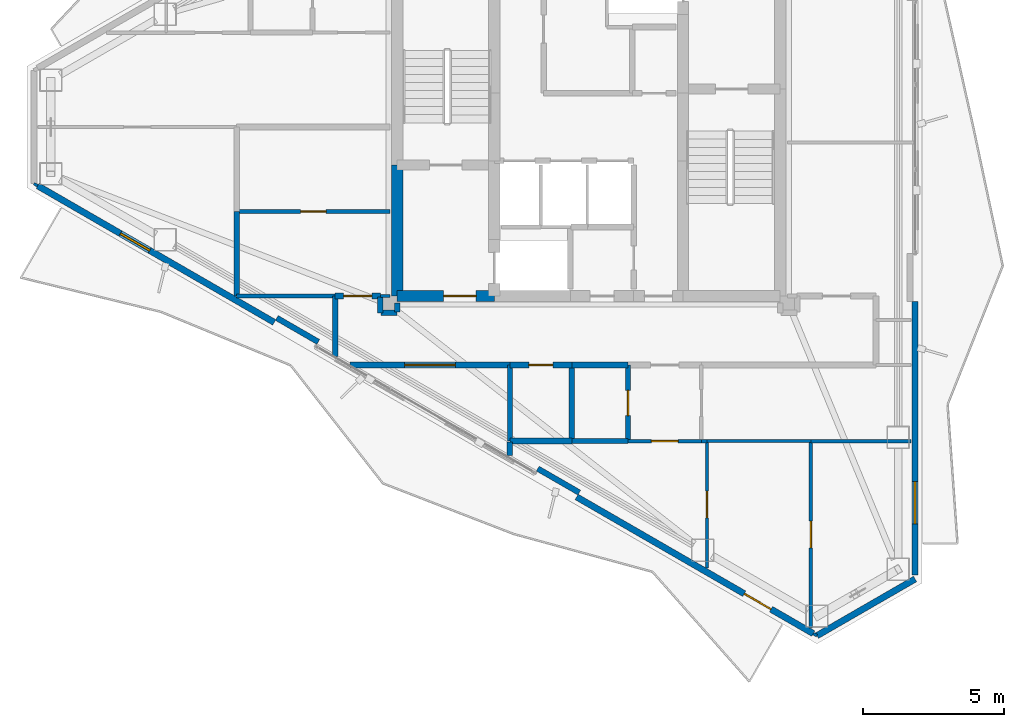
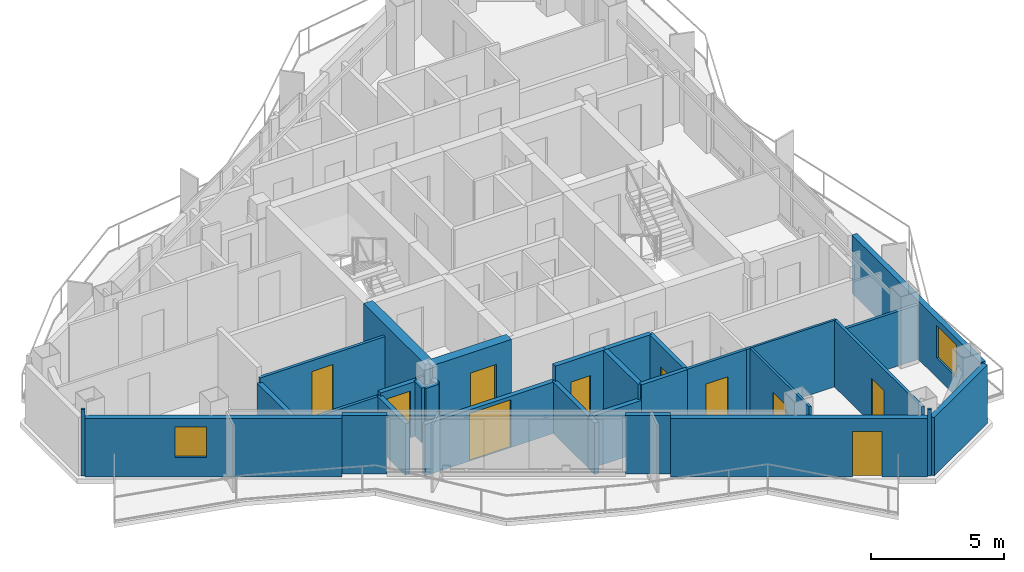
# One storey, part 16 of 22: 34 walls, 10 doors, 2 windows, 12 openings.
"""IFC4 building model written with IfcOpenShell, lengths in metres."""

from ifc_helpers import new_model, si_unit, direction, frame, frame_2d, origin, place, context, subcontext, project, spatial, rectangle, extrude, material, layer, layer_set, type_object, element, fill, save


model = new_model("IFC4")

# Units and contexts
model_context = context("Model", 3, precision=1e-05, world=origin(), true_north=direction((0.0, 1.0)))
body_context = subcontext(model_context, "Body", "Model", "MODEL_VIEW")
ifc_project = project(units=[si_unit("LENGTHUNIT", "METRE"), si_unit("AREAUNIT", "SQUARE_METRE"), si_unit("VOLUMEUNIT", "CUBIC_METRE"), si_unit("PLANEANGLEUNIT", "RADIAN"), si_unit("MASSUNIT", "GRAM", prefix="KILO")], contexts=[model_context])

# Site, building, storey
site_placement = place(None, origin())
site = spatial("IfcSite", under=ifc_project, at=site_placement, CompositionType="ELEMENT")
building_placement = place(site_placement, origin())
building = spatial("IfcBuilding", under=site, at=building_placement, Name="Mersakhor Tower and Convention Hall", CompositionType="ELEMENT")
storey_placement = place(building_placement, frame((0.0, 0.0, 195.300048828125)))
storey = spatial("IfcBuildingStorey", under=building, at=storey_placement, Name="L54", CompositionType="ELEMENT", Elevation=195.300048828125)

# Wall
ifc_material_1 = material(Name="Precast concrete C40/50", Category="concrete")
ifc_layer_1 = layer(ifc_material_1, 0.22509765625)
ifc_layer_set_1 = layer_set([ifc_layer_1], Name="Precast concrete C40/50")
wall_type_1 = type_object("IfcWallType", Name="WL-EXT-225", PredefinedType="SOLIDWALL", material=ifc_layer_set_1)
wall_1_placement = place(storey_placement, frame((40.58837890625, 10.70166015625, 0.0), z_axis=(0.0, 0.0, 1.0), x_axis=(-0.866023907196, -0.500002592159, 0.0)))
element("IfcWall", 1, at=wall_1_placement, inside=storey, type_object=wall_type_1, Name="L54 Chamfer Braced Spandrel Wall C2", PredefinedType="SOLIDWALL", context=body_context, shape_type="SweptSolid", body=[
    extrude(rectangle(XDim=4.0234375, YDim=0.22509765625, at=frame_2d((2.01171875, 0.0))), origin(), (0.0, 0.0, 1.0), 2.68994140625),
])

# Wall, opening, window
wall_2_placement = place(storey_placement, frame((40.58837890625, 20.550537109375, 0.0), z_axis=(0.0, 0.0, 1.0), x_axis=(0.0, -1.0, 0.0)))
wall_2 = element("IfcWall", 2, at=wall_2_placement, inside=storey, type_object=wall_type_1, Name="L54 Exterior Facade Wall F2-B3", PredefinedType="SOLIDWALL", context=body_context, shape_type="SweptSolid", body=[
    extrude(rectangle(XDim=9.698974609375, YDim=0.22509765625, at=frame_2d((4.849609375, 0.0))), origin(), (0.0, 0.0, 1.0), 2.68994140625),
])
opening_1_placement = place(wall_2_placement, frame((6.39501953125, 0.0, 0.89990234375)))
opening_1 = element("IfcOpeningElement", 3, at=opening_1_placement, cuts=wall_2, Name="Opening W-02", PredefinedType="OPENING", context=body_context, shape_type="SweptSolid", body=[
    extrude(rectangle(XDim=1.5, YDim=1.5, at=frame_2d((0.75, 0.75))), frame((0.0, 0.12255859375, 0.0), z_axis=(0.0, -1.0, 0.0), x_axis=(1.0, 0.0, 0.0)), (0.0, 0.0, 1.0), 0.2451171875),
])
ifc_material_2 = material(Name="Dark solar low-E glazed aluminium window", Category="aluminium")
window_type_1 = type_object("IfcWindowType", Name="WN-RES-150x150", PartitioningType="SINGLE_PANEL", PredefinedType="WINDOW", material=ifc_material_2)
window_1_placement = place(opening_1_placement, origin())
window_1 = element("IfcWindow", 4, at=window_1_placement, inside=storey, type_object=window_type_1, Name="L54 Facade Punched Window F2-B3", OverallHeight=1.5, OverallWidth=1.5, PartitioningType="SINGLE_PANEL", PredefinedType="WINDOW", context=body_context, shape_type="SweptSolid", body=[
    extrude(rectangle(XDim=1.5, YDim=1.5, at=frame_2d((0.75, 0.75))), frame((0.0, 0.030029296875, 0.0), z_axis=(0.0, -1.0, 0.0), x_axis=(1.0, 0.0, 0.0)), (0.0, 0.0, 1.0), 0.06005859375),
])
fill(opening_1, window_1)

# Wall, opening, door
wall_3_placement = place(storey_placement, frame((36.97412109375, 8.764892578125, 0.0), z_axis=(0.0, 0.0, 1.0), x_axis=(-0.866016233231, 0.500015883528, 0.0)))
wall_3 = element("IfcWall", 5, at=wall_3_placement, inside=storey, type_object=wall_type_1, Name="L54 Exterior Facade Wall F3-B1", PredefinedType="SOLIDWALL", context=body_context, shape_type="SweptSolid", body=[
    extrude(rectangle(XDim=9.698974609375, YDim=0.22509765625, at=frame_2d((4.849609375, 0.0))), origin(), (0.0, 0.0, 1.0), 2.68994140625),
])
opening_2_placement = place(wall_3_placement, frame((1.72998046875, 0.0, 0.0)))
opening_2 = element("IfcOpeningElement", 6, at=opening_2_placement, cuts=wall_3, Name="Opening BD-02", PredefinedType="OPENING", context=body_context, shape_type="SweptSolid", body=[
    extrude(rectangle(XDim=1.10009765625, YDim=2.10009765625, at=frame_2d((0.550048828125, 1.050048828125))), frame((0.0, 0.12255859375, 0.0), z_axis=(0.0, -1.0, 0.0), x_axis=(1.0, 0.0, 0.0)), (0.0, 0.0, 1.0), 0.2451171875),
])
ifc_material_3 = material(Name="Thermally broken dark aluminium and safety glass", Category="aluminium")
door_type_1 = type_object("IfcDoorType", Name="DR-BAL-110x210", OperationType="NOTDEFINED", PredefinedType="DOOR", material=ifc_material_3)
door_1_placement = place(opening_2_placement, origin())
door_1 = element("IfcDoor", 7, at=door_1_placement, inside=storey, type_object=door_type_1, Name="L54 Balcony Terrace Door F3-B1", OperationType="SINGLE_SWING_RIGHT", OverallHeight=2.10009765625, OverallWidth=1.10009765625, PredefinedType="DOOR", context=body_context, shape_type="SweptSolid", body=[
    extrude(rectangle(XDim=1.10009765625, YDim=2.10009765625, at=frame_2d((0.550048828125, 1.050048828125))), frame((0.0, 0.02490234375, 0.0), z_axis=(0.0, -1.0, 0.0), x_axis=(1.0, 0.0, 0.0)), (0.0, 0.0, 1.0), 0.050048828125),
])
fill(opening_2, door_1)

# Wall, opening, window
wall_4_placement = place(storey_placement, frame((17.8369140625, 19.81396484375, 0.0), z_axis=(0.0, 0.0, 1.0), x_axis=(-0.866027133173, 0.499997004599, 0.0)))
wall_4 = element("IfcWall", 8, at=wall_4_placement, inside=storey, type_object=wall_type_1, Name="L54 Exterior Facade Wall F3-B3", PredefinedType="SOLIDWALL", context=body_context, shape_type="SweptSolid", body=[
    extrude(rectangle(XDim=9.69873046875, YDim=0.22509765625, at=frame_2d((4.849365234375, 0.0))), origin(), (0.0, 0.0, 1.0), 2.68994140625),
])
opening_3_placement = place(wall_4_placement, frame((5.10791015625, 0.0, 0.89990234375)))
opening_3 = element("IfcOpeningElement", 9, at=opening_3_placement, cuts=wall_4, Name="Opening W-01", PredefinedType="OPENING", context=body_context, shape_type="SweptSolid", body=[
    extrude(rectangle(XDim=1.199951171875, YDim=1.39990234375, at=frame_2d((0.60009765625, 0.699951171875))), frame((0.0, 0.12255859375, 0.0), z_axis=(0.0, -1.0, 0.0), x_axis=(1.0, 0.0, 0.0)), (0.0, 0.0, 1.0), 0.2451171875),
])
ifc_material_4 = material(Name="Dark solar low-E glazed aluminium window", Category="aluminium")
window_type_2 = type_object("IfcWindowType", Name="WN-RES-120x150", PartitioningType="SINGLE_PANEL", PredefinedType="WINDOW", material=ifc_material_4)
window_2_placement = place(opening_3_placement, origin())
window_2 = element("IfcWindow", 10, at=window_2_placement, inside=storey, type_object=window_type_2, Name="L54 Bedroom Facade Window F3-B3-1", OverallHeight=1.39990234375, OverallWidth=1.199951171875, PartitioningType="SINGLE_PANEL", PredefinedType="WINDOW", context=body_context, shape_type="SweptSolid", body=[
    extrude(rectangle(XDim=1.199951171875, YDim=1.39990234375, at=frame_2d((0.60009765625, 0.699951171875))), frame((0.0, 0.030029296875, 0.0), z_axis=(0.0, -1.0, 0.0), x_axis=(1.0, 0.0, 0.0)), (0.0, 0.0, 1.0), 0.06005859375),
])
fill(opening_3, window_2)

# Walls
ifc_material_5 = material(Name="Precast concrete C40/50", Category="concrete")
ifc_layer_2 = layer(ifc_material_5, 0.199951171875)
ifc_layer_set_2 = layer_set([ifc_layer_2], Name="Precast concrete C40/50")
wall_type_2 = type_object("IfcWallType", Name="WL-PAR-200", PredefinedType="PARAPET", material=ifc_layer_set_2)
wall_5_placement = place(storey_placement, frame((28.664794921875, 13.770263671875, 0.0), z_axis=(0.0, 0.0, 1.0), x_axis=(-0.866025371046, 0.500000056704, 0.0)))
element("IfcWall", 11, at=wall_5_placement, inside=storey, type_object=wall_type_2, Name="L54 Column Pier Cladding Wall F3-C1", PredefinedType="PARAPET", context=body_context, shape_type="SweptSolid", body=[
    extrude(rectangle(XDim=1.7001953125, YDim=0.199951171875, at=frame_2d((0.85009765625, 0.0))), origin(), (0.0, 0.0, 1.0), 2.68994140625),
])
wall_6_placement = place(storey_placement, frame((19.399169921875, 19.119873046875, 0.0), z_axis=(0.0, 0.0, 1.0), x_axis=(-0.86605165483, 0.499954529098, 0.0)))
element("IfcWall", 12, at=wall_6_placement, inside=storey, type_object=wall_type_2, Name="L54 Column Pier Cladding Wall F3-C2", PredefinedType="PARAPET", context=body_context, shape_type="SweptSolid", body=[
    extrude(rectangle(XDim=1.699951171875, YDim=0.199951171875, at=frame_2d((0.85009765625, 0.0))), origin(), (0.0, 0.0, 1.0), 2.68994140625),
])

# Wall, opening, door
ifc_material_6 = material(Name="Moisture-resistant acoustic drywall studwork", Category="other")
ifc_layer_3 = layer(ifc_material_6, 0.175048828125)
ifc_layer_set_3 = layer_set([ifc_layer_3], Name="Moisture-resistant acoustic drywall studwork")
wall_type_3 = type_object("IfcWallType", Name="WL-PLM-175", PredefinedType="PLUMBINGWALL", material=ifc_layer_set_3)
wall_7_placement = place(storey_placement, frame((30.39990234375, 15.60009765625, 0.0), z_axis=(0.0, 0.0, 1.0), x_axis=(0.0, 1.0, 0.0)))
wall_7 = element("IfcWall", 13, at=wall_7_placement, inside=storey, type_object=wall_type_3, Name="L54 Interior Partition Wall P-054", PredefinedType="PLUMBINGWALL", context=body_context, shape_type="SweptSolid", body=[
    extrude(rectangle(XDim=2.699951171875, YDim=0.175048828125, at=frame_2d((1.35009765625, 0.0))), origin(), (0.0, 0.0, 1.0), 3.070068359375),
])
opening_4_placement = place(wall_7_placement, frame((0.89990234375, 0.0, 0.0)))
opening_4 = element("IfcOpeningElement", 14, at=opening_4_placement, cuts=wall_7, Name="Opening WD-01", PredefinedType="OPENING", context=body_context, shape_type="SweptSolid", body=[
    extrude(rectangle(XDim=0.89990234375, YDim=2.10009765625, at=frame_2d((0.449951171875, 1.050048828125))), frame((0.0, 0.097412109375, 0.0), z_axis=(0.0, -1.0, 0.0), x_axis=(1.0, 0.0, 0.0)), (0.0, 0.0, 1.0), 0.195068359375),
])
ifc_material_7 = material(Name="Solid-core hardwood leaf in painted steel frame", Category="steel")
door_type_2 = type_object("IfcDoorType", Name="DR-INT-WET-090x210", OperationType="NOTDEFINED", PredefinedType="DOOR", material=ifc_material_7)
door_2_placement = place(opening_4_placement, origin())
door_2 = element("IfcDoor", 15, at=door_2_placement, inside=storey, type_object=door_type_2, Name="L54 L54 Flat S3 Apartment Hall to L54 Flat S3 Bathroom Door", OperationType="SINGLE_SWING_RIGHT", OverallHeight=2.10009765625, OverallWidth=0.89990234375, PredefinedType="DOOR", context=body_context, shape_type="SweptSolid", body=[
    extrude(rectangle(XDim=0.89990234375, YDim=2.10009765625, at=frame_2d((0.449951171875, 1.050048828125))), frame((0.0, 0.02490234375, 0.0), z_axis=(0.0, -1.0, 0.0), x_axis=(1.0, 0.0, 0.0)), (0.0, 0.0, 1.0), 0.050048828125),
])
fill(opening_4, door_2)

# Walls
wall_8_placement = place(storey_placement, frame((26.199951171875, 15.60009765625, 0.0), z_axis=(0.0, 0.0, 1.0), x_axis=(0.0, 1.0, 0.0)))
element("IfcWall", 16, at=wall_8_placement, inside=storey, type_object=wall_type_3, Name="L54 Interior Partition Wall P-061", PredefinedType="PLUMBINGWALL", context=body_context, shape_type="SweptSolid", body=[
    extrude(rectangle(XDim=2.699951171875, YDim=0.175048828125, at=frame_2d((1.35009765625, 0.0))), origin(), (0.0, 0.0, 1.0), 2.364990234375),
])
wall_9_placement = place(storey_placement, frame((30.39990234375, 15.60009765625, 0.0), z_axis=(0.0, 0.0, 1.0), x_axis=(-1.0, 0.0, 0.0)))
element("IfcWall", 17, at=wall_9_placement, inside=storey, type_object=wall_type_3, Name="L54 Interior Partition Wall P-071", PredefinedType="PLUMBINGWALL", context=body_context, shape_type="SweptSolid", body=[
    extrude(rectangle(XDim=2.0, YDim=0.175048828125, at=frame_2d((1.0, 0.0))), origin(), (0.0, 0.0, 1.0), 3.070068359375),
])
ifc_material_8 = material(Name="Lightweight gypsum partition", Category="other")
ifc_layer_4 = layer(ifc_material_8, 0.10009765625)
ifc_layer_set_4 = layer_set([ifc_layer_4], Name="Lightweight gypsum partition")
wall_type_4 = type_object("IfcWallType", Name="WL-PRT-100", PredefinedType="PARTITIONING", material=ifc_layer_set_4)
wall_10_placement = place(storey_placement, frame((36.889892578125, 15.60009765625, 0.0), z_axis=(0.0, 0.0, 1.0), x_axis=(-1.0, 0.0, 0.0)))
element("IfcWall", 18, at=wall_10_placement, inside=storey, type_object=wall_type_4, Name="L54 Interior Partition Wall P-074", PredefinedType="PARTITIONING", context=body_context, shape_type="SweptSolid", body=[
    extrude(rectangle(XDim=3.68994140625, YDim=0.10009765625, at=frame_2d((1.844970703125, 0.0))), origin(), (0.0, 0.0, 1.0), 3.070068359375),
])
wall_11_placement = place(storey_placement, frame((21.949951171875, 20.75, 0.0), z_axis=(0.0, 0.0, 1.0), x_axis=(-1.0, 0.0, 0.0)))
element("IfcWall", 19, at=wall_11_placement, inside=storey, type_object=wall_type_4, Name="L54 Interior Partition Wall P-084", PredefinedType="PARTITIONING", context=body_context, shape_type="SweptSolid", body=[
    extrude(rectangle(XDim=0.349853515625, YDim=0.10009765625, at=frame_2d((0.1748046875, 0.0))), origin(), (0.0, 0.0, 1.0), 2.594970703125),
])

# Wall, opening, door
wall_12_placement = place(storey_placement, frame((33.199951171875, 15.60009765625, 0.0), z_axis=(0.0, 0.0, 1.0), x_axis=(0.0, -1.0, 0.0)))
wall_12 = element("IfcWall", 20, at=wall_12_placement, inside=storey, type_object=wall_type_4, Name="L54 Interior Partition Wall P-100", PredefinedType="PARTITIONING", context=body_context, shape_type="SweptSolid", body=[
    extrude(rectangle(XDim=4.49853515625, YDim=0.10009765625, at=frame_2d((2.249267578125, 0.0))), origin(), (0.0, 0.0, 1.0), 3.070068359375),
])
opening_5_placement = place(wall_12_placement, frame((1.774169921875, 0.0, 0.0)))
opening_5 = element("IfcOpeningElement", 21, at=opening_5_placement, cuts=wall_12, Name="Opening RD-01", PredefinedType="OPENING", context=body_context, shape_type="SweptSolid", body=[
    extrude(rectangle(XDim=0.949951171875, YDim=2.10009765625, at=frame_2d((0.47509765625, 1.050048828125))), frame((0.0, 0.06005859375, 0.0), z_axis=(0.0, -1.0, 0.0), x_axis=(1.0, 0.0, 0.0)), (0.0, 0.0, 1.0), 0.1201171875),
])
ifc_material_9 = material(Name="Solid-core hardwood leaf in painted steel frame", Category="steel")
door_type_3 = type_object("IfcDoorType", Name="DR-INT-RM-095x210", OperationType="NOTDEFINED", PredefinedType="DOOR", material=ifc_material_9)
door_3_placement = place(opening_5_placement, origin())
door_3 = element("IfcDoor", 22, at=door_3_placement, inside=storey, type_object=door_type_3, Name="L54 L54 Flat S3 Living and Dining Room to L54 Flat S3 Bedroom 1 Door", OperationType="SINGLE_SWING_LEFT", OverallHeight=2.10009765625, OverallWidth=0.949951171875, PredefinedType="DOOR", context=body_context, shape_type="SweptSolid", body=[
    extrude(rectangle(XDim=0.949951171875, YDim=2.10009765625, at=frame_2d((0.47509765625, 1.050048828125))), frame((0.0, 0.02490234375, 0.0), z_axis=(0.0, -1.0, 0.0), x_axis=(1.0, 0.0, 0.0)), (0.0, 0.0, 1.0), 0.050048828125),
])
fill(opening_5, door_3)

# Walls
wall_13_placement = place(storey_placement, frame((37.10400390625, 8.68994140625, 0.0), z_axis=(0.0, 0.0, 1.0), x_axis=(-0.865017048845, 0.50174246901, 0.0)))
element("IfcWall", 23, at=wall_13_placement, inside=storey, type_object=wall_type_4, Name="L54 Interior Partition Wall P-102", PredefinedType="PARTITIONING", context=body_context, shape_type="SweptSolid", body=[
    extrude(rectangle(XDim=0.14990234375, YDim=0.10009765625, at=frame_2d((0.074951171875, 0.0))), origin(), (0.0, 0.0, 1.0), 3.070068359375),
])
wall_14_placement = place(storey_placement, frame((9.43701171875, 24.662841796875, 0.0), z_axis=(0.0, 0.0, 1.0), x_axis=(-0.865833797362, 0.500331725305, 0.0)))
element("IfcWall", 24, at=wall_14_placement, inside=storey, type_object=wall_type_4, Name="L54 Interior Partition Wall P-106", PredefinedType="PARTITIONING", context=body_context, shape_type="SweptSolid", body=[
    extrude(rectangle(XDim=0.150390625, YDim=0.10009765625, at=frame_2d((0.0751953125, 0.0))), origin(), (0.0, 0.0, 1.0), 3.070068359375),
])

# Wall, opening, door
ifc_material_10 = material(Name="Gypsum board acoustic partition", Category="other")
ifc_layer_5 = layer(ifc_material_10, 0.125)
ifc_layer_set_5 = layer_set([ifc_layer_5], Name="Gypsum board acoustic partition")
wall_type_5 = type_object("IfcWallType", Name="WL-PRT-125", PredefinedType="PARTITIONING", material=ifc_layer_set_5)
wall_15_placement = place(storey_placement, frame((33.0, 15.60009765625, 0.0), z_axis=(0.0, 0.0, 1.0), x_axis=(-1.0, 0.0, 0.0)))
wall_15 = element("IfcWall", 25, at=wall_15_placement, inside=storey, type_object=wall_type_5, Name="L54 Interior Partition Wall P-053", PredefinedType="PARTITIONING", context=body_context, shape_type="SweptSolid", body=[
    extrude(rectangle(XDim=2.60009765625, YDim=0.125, at=frame_2d((1.300048828125, 0.0))), origin(), (0.0, 0.0, 1.0), 3.070068359375),
])
opening_6_placement = place(wall_15_placement, frame((0.824951171875, 0.0, 0.0)))
opening_6 = element("IfcOpeningElement", 26, at=opening_6_placement, cuts=wall_15, Name="Opening RD-01", PredefinedType="OPENING", context=body_context, shape_type="SweptSolid", body=[
    extrude(rectangle(XDim=0.949951171875, YDim=2.10009765625, at=frame_2d((0.47509765625, 1.050048828125))), frame((0.0, 0.072509765625, 0.0), z_axis=(0.0, -1.0, 0.0), x_axis=(1.0, 0.0, 0.0)), (0.0, 0.0, 1.0), 0.14501953125),
])
door_4_placement = place(opening_6_placement, origin())
door_4 = element("IfcDoor", 27, at=door_4_placement, inside=storey, type_object=door_type_3, Name="L54 L54 Flat S3 Apartment Hall to L54 Flat S3 Living and Dining Room Door", OperationType="SINGLE_SWING_RIGHT", OverallHeight=2.10009765625, OverallWidth=0.949951171875, PredefinedType="DOOR", context=body_context, shape_type="SweptSolid", body=[
    extrude(rectangle(XDim=0.949951171875, YDim=2.10009765625, at=frame_2d((0.47509765625, 1.050048828125))), frame((0.0, 0.02490234375, 0.0), z_axis=(0.0, -1.0, 0.0), x_axis=(1.0, 0.0, 0.0)), (0.0, 0.0, 1.0), 0.050048828125),
])
fill(opening_6, door_4)

# Walls
wall_16_placement = place(storey_placement, frame((40.451904296875, 15.60009765625, 0.0), z_axis=(0.0, 0.0, 1.0), x_axis=(-1.0, 0.0, 0.0)))
element("IfcWall", 28, at=wall_16_placement, inside=storey, type_object=wall_type_5, Name="L54 Interior Partition Wall P-073", PredefinedType="PARTITIONING", context=body_context, shape_type="SweptSolid", body=[
    extrude(rectangle(XDim=3.56201171875, YDim=0.125, at=frame_2d((1.781005859375, 0.0))), origin(), (0.0, 0.0, 1.0), 2.518310546875),
])
wall_17_placement = place(storey_placement, frame((33.199951171875, 15.60009765625, 0.0), z_axis=(0.0, 0.0, 1.0), x_axis=(-1.0, 0.0, 0.0)))
element("IfcWall", 29, at=wall_17_placement, inside=storey, type_object=wall_type_5, Name="L54 Interior Partition Wall P-075", PredefinedType="PARTITIONING", context=body_context, shape_type="SweptSolid", body=[
    extrude(rectangle(XDim=0.199951171875, YDim=0.125, at=frame_2d((0.10009765625, 0.0))), origin(), (0.0, 0.0, 1.0), 3.070068359375),
])
wall_18_placement = place(storey_placement, frame((20.0, 20.75, 0.0), z_axis=(0.0, 0.0, 1.0), x_axis=(-1.0, 0.0, 0.0)))
element("IfcWall", 30, at=wall_18_placement, inside=storey, type_object=wall_type_5, Name="L54 Interior Partition Wall P-085", PredefinedType="PARTITIONING", context=body_context, shape_type="SweptSolid", body=[
    extrude(rectangle(XDim=3.5, YDim=0.125, at=frame_2d((1.75, 0.0))), origin(), (0.0, 0.0, 1.0), 2.364990234375),
])

# Wall, opening, door
wall_19_placement = place(storey_placement, frame((16.5, 23.75, 0.0), z_axis=(0.0, 0.0, 1.0), x_axis=(1.0, 0.0, 0.0)))
wall_19 = element("IfcWall", 31, at=wall_19_placement, inside=storey, type_object=wall_type_5, Name="L54 Interior Partition Wall P-087", PredefinedType="PARTITIONING", context=body_context, shape_type="SweptSolid", body=[
    extrude(rectangle(XDim=5.449951171875, YDim=0.125, at=frame_2d((2.72509765625, 0.0))), origin(), (0.0, 0.0, 1.0), 2.594970703125),
])
opening_7_placement = place(wall_19_placement, frame((2.27490234375, 0.0, 0.0)))
opening_7 = element("IfcOpeningElement", 32, at=opening_7_placement, cuts=wall_19, Name="Opening WD-01", PredefinedType="OPENING", context=body_context, shape_type="SweptSolid", body=[
    extrude(rectangle(XDim=0.89990234375, YDim=2.10009765625, at=frame_2d((0.449951171875, 1.050048828125))), frame((0.0, 0.072509765625, 0.0), z_axis=(0.0, -1.0, 0.0), x_axis=(1.0, 0.0, 0.0)), (0.0, 0.0, 1.0), 0.14501953125),
])
door_5_placement = place(opening_7_placement, origin())
door_5 = element("IfcDoor", 33, at=door_5_placement, inside=storey, type_object=door_type_2, Name="L54 L54 West Wing Quiet Study Room to L54 West Wing Quiet Study Room Annex Door", OperationType="SINGLE_SWING_RIGHT", OverallHeight=2.10009765625, OverallWidth=0.89990234375, PredefinedType="DOOR", context=body_context, shape_type="SweptSolid", body=[
    extrude(rectangle(XDim=0.89990234375, YDim=2.10009765625, at=frame_2d((0.449951171875, 1.050048828125))), frame((0.0, 0.02490234375, 0.0), z_axis=(0.0, -1.0, 0.0), x_axis=(1.0, 0.0, 0.0)), (0.0, 0.0, 1.0), 0.050048828125),
])
fill(opening_7, door_5)

wall_20_placement = place(storey_placement, frame((36.889892578125, 15.60009765625, 0.0), z_axis=(0.0, 0.0, 1.0), x_axis=(0.0, -1.0, 0.0)))
wall_20 = element("IfcWall", 34, at=wall_20_placement, inside=storey, type_object=wall_type_5, Name="L54 Interior Partition Wall P-101", PredefinedType="PARTITIONING", context=body_context, shape_type="SweptSolid", body=[
    extrude(rectangle(XDim=6.62890625, YDim=0.125, at=frame_2d((3.314453125, 0.0))), origin(), (0.0, 0.0, 1.0), 3.070068359375),
])
opening_8_placement = place(wall_20_placement, frame((2.83935546875, 0.0, 0.0)))
opening_8 = element("IfcOpeningElement", 35, at=opening_8_placement, cuts=wall_20, Name="Opening RD-01", PredefinedType="OPENING", context=body_context, shape_type="SweptSolid", body=[
    extrude(rectangle(XDim=0.949951171875, YDim=2.10009765625, at=frame_2d((0.47509765625, 1.050048828125))), frame((0.0, 0.072509765625, 0.0), z_axis=(0.0, -1.0, 0.0), x_axis=(1.0, 0.0, 0.0)), (0.0, 0.0, 1.0), 0.14501953125),
])
door_6_placement = place(opening_8_placement, origin())
door_6 = element("IfcDoor", 36, at=door_6_placement, inside=storey, type_object=door_type_3, Name="L54 L54 Flat S3 Bedroom 1 to L54 Flat S3 Study Room Door", OperationType="SINGLE_SWING_RIGHT", OverallHeight=2.10009765625, OverallWidth=0.949951171875, PredefinedType="DOOR", context=body_context, shape_type="SweptSolid", body=[
    extrude(rectangle(XDim=0.949951171875, YDim=2.10009765625, at=frame_2d((0.47509765625, 1.050048828125))), frame((0.0, 0.02490234375, 0.0), z_axis=(0.0, -1.0, 0.0), x_axis=(1.0, 0.0, 0.0)), (0.0, 0.0, 1.0), 0.050048828125),
])
fill(opening_8, door_6)

ifc_material_11 = material(Name="Acoustic concrete blockwork and gypsum board", Category="masonry")
ifc_layer_6 = layer(ifc_material_11, 0.199951171875)
ifc_layer_set_6 = layer_set([ifc_layer_6], Name="Acoustic concrete blockwork and gypsum board")
wall_type_6 = type_object("IfcWallType", Name="WL-PRT-200", PredefinedType="PARTITIONING", material=ifc_layer_set_6)
wall_21_placement = place(storey_placement, frame((20.0, 20.75, 0.0), z_axis=(0.0, 0.0, 1.0), x_axis=(1.0, 0.0, 0.0)))
wall_21 = element("IfcWall", 37, at=wall_21_placement, inside=storey, type_object=wall_type_6, Name="L54 Interior Partition Wall P-034", PredefinedType="PARTITIONING", context=body_context, shape_type="SweptSolid", body=[
    extrude(rectangle(XDim=1.60009765625, YDim=0.199951171875, at=frame_2d((0.800048828125, 0.0))), origin(), (0.0, 0.0, 1.0), 2.518310546875),
])
opening_9_placement = place(wall_21_placement, frame((0.300048828125, 0.0, 0.0)))
opening_9 = element("IfcOpeningElement", 38, at=opening_9_placement, cuts=wall_21, Name="Opening FD-01", PredefinedType="OPENING", context=body_context, shape_type="SweptSolid", body=[
    extrude(rectangle(XDim=1.0, YDim=2.14990234375, at=frame_2d((0.5, 1.074951171875))), frame((0.0, 0.10986328125, 0.0), z_axis=(0.0, -1.0, 0.0), x_axis=(1.0, 0.0, 0.0)), (0.0, 0.0, 1.0), 0.219970703125),
])
ifc_material_12 = material(Name="Fire-rated hardwood leaf and painted steel frame", Category="steel")
door_type_4 = type_object("IfcDoorType", Name="DR-INT-FLT-100x215", OperationType="NOTDEFINED", PredefinedType="DOOR", material=ifc_material_12)
door_7_placement = place(opening_9_placement, origin())
door_7 = element("IfcDoor", 39, at=door_7_placement, inside=storey, type_object=door_type_4, Name="L54 Residential South Gallery Corridor to L54 West Wing Quiet Study Room Door", OperationType="SINGLE_SWING_LEFT", OverallHeight=2.14990234375, OverallWidth=1.0, PredefinedType="DOOR", context=body_context, shape_type="SweptSolid", body=[
    extrude(rectangle(XDim=1.0, YDim=2.14990234375, at=frame_2d((0.5, 1.074951171875))), frame((0.0, 0.02490234375, 0.0), z_axis=(0.0, -1.0, 0.0), x_axis=(1.0, 0.0, 0.0)), (0.0, 0.0, 1.0), 0.050048828125),
])
fill(opening_9, door_7)

# Walls
for number, where, z_axis, x_axis, name in (
    (40, (21.60009765625, 20.719970703125, 0.0), (0.0, 0.0, 1.0), (0.0, -1.0, 0.0), "L54 Interior Partition Wall P-035"),
    (41, (21.6298828125, 20.14990234375, 0.0), (0.0, 0.0, 1.0), (1.0, 0.0, 0.0), "L54 Interior Partition Wall P-036"),
):
    element("IfcWall", number, at=place(storey_placement, frame(where, z_axis=z_axis, x_axis=x_axis)), inside=storey, type_object=wall_type_6, Name=name, PredefinedType="PARTITIONING", context=body_context, shape_type="SweptSolid", body=[
        extrude(rectangle(XDim=0.570068359375, YDim=0.199951171875, at=frame_2d((0.28515625, 0.0))), origin(), (0.0, 0.0, 1.0), 2.518310546875),
    ])
wall_22_placement = place(storey_placement, frame((22.199951171875, 20.179931640625, 0.0), z_axis=(0.0, 0.0, 1.0), x_axis=(0.0, 1.0, 0.0)))
element("IfcWall", 42, at=wall_22_placement, inside=storey, type_object=wall_type_6, Name="L54 Interior Partition Wall P-037", PredefinedType="PARTITIONING", context=body_context, shape_type="SweptSolid", body=[
    extrude(rectangle(XDim=0.320068359375, YDim=0.199951171875, at=frame_2d((0.16015625, 0.0))), origin(), (0.0, 0.0, 1.0), 2.518310546875),
])
wall_23_placement = place(storey_placement, frame((30.39990234375, 18.300048828125, 0.0), z_axis=(0.0, 0.0, 1.0), x_axis=(-1.0, 0.0, 0.0)))
element("IfcWall", 43, at=wall_23_placement, inside=storey, type_object=wall_type_6, Name="L54 Interior Partition Wall P-046", PredefinedType="PARTITIONING", context=body_context, shape_type="SweptSolid", body=[
    extrude(rectangle(XDim=2.0, YDim=0.199951171875, at=frame_2d((1.0, 0.0))), origin(), (0.0, 0.0, 1.0), 3.070068359375),
])

# Wall, opening, door
wall_24_placement = place(storey_placement, frame((28.39990234375, 18.300048828125, 0.0), z_axis=(0.0, 0.0, 1.0), x_axis=(-1.0, 0.0, 0.0)))
wall_24 = element("IfcWall", 44, at=wall_24_placement, inside=storey, type_object=wall_type_6, Name="L54 Interior Partition Wall P-047", PredefinedType="PARTITIONING", context=body_context, shape_type="SweptSolid", body=[
    extrude(rectangle(XDim=2.199951171875, YDim=0.199951171875, at=frame_2d((1.10009765625, 0.0))), origin(), (0.0, 0.0, 1.0), 3.070068359375),
])
opening_10_placement = place(wall_24_placement, frame((0.675048828125, 0.0, 0.0)))
opening_10 = element("IfcOpeningElement", 45, at=opening_10_placement, cuts=wall_24, Name="Opening SVD-01", PredefinedType="OPENING", context=body_context, shape_type="SweptSolid", body=[
    extrude(rectangle(XDim=0.85009765625, YDim=2.10009765625, at=frame_2d((0.425048828125, 1.050048828125))), frame((0.0, 0.10986328125, 0.0), z_axis=(0.0, -1.0, 0.0), x_axis=(1.0, 0.0, 0.0)), (0.0, 0.0, 1.0), 0.219970703125),
])
ifc_material_13 = material(Name="Fire-rated hardwood leaf and painted steel frame", Category="steel")
door_type_5 = type_object("IfcDoorType", Name="DR-INT-SVC-085x210", OperationType="NOTDEFINED", PredefinedType="DOOR", material=ifc_material_13)
door_8_placement = place(opening_10_placement, origin())
door_8 = element("IfcDoor", 46, at=door_8_placement, inside=storey, type_object=door_type_5, Name="L54 Residential South Gallery Corridor to L54 South Wing Public Toilet WC Door", OperationType="SINGLE_SWING_RIGHT", OverallHeight=2.10009765625, OverallWidth=0.85009765625, PredefinedType="DOOR", context=body_context, shape_type="SweptSolid", body=[
    extrude(rectangle(XDim=0.85009765625, YDim=2.10009765625, at=frame_2d((0.425048828125, 1.050048828125))), frame((0.0, 0.02490234375, 0.0), z_axis=(0.0, -1.0, 0.0), x_axis=(1.0, 0.0, 0.0)), (0.0, 0.0, 1.0), 0.050048828125),
])
fill(opening_10, door_8)

wall_25_placement = place(storey_placement, frame((26.199951171875, 18.300048828125, 0.0), z_axis=(0.0, 0.0, 1.0), x_axis=(-1.0, 0.0, 0.0)))
wall_25 = element("IfcWall", 47, at=wall_25_placement, inside=storey, type_object=wall_type_6, Name="L54 Interior Partition Wall P-048", PredefinedType="PARTITIONING", context=body_context, shape_type="SweptSolid", body=[
    extrude(rectangle(XDim=5.671630859375, YDim=0.199951171875, at=frame_2d((2.8359375, 0.0))), origin(), (0.0, 0.0, 1.0), 2.364990234375),
])
opening_11_placement = place(wall_25_placement, frame((1.935791015625, 0.0, 0.0)))
opening_11 = element("IfcOpeningElement", 48, at=opening_11_placement, cuts=wall_25, Name="Opening HD-01", PredefinedType="OPENING", context=body_context, shape_type="SweptSolid", body=[
    extrude(rectangle(XDim=1.800048828125, YDim=2.199951171875, at=frame_2d((0.89990234375, 1.10009765625))), frame((0.0, 0.10986328125, 0.0), z_axis=(0.0, -1.0, 0.0), x_axis=(1.0, 0.0, 0.0)), (0.0, 0.0, 1.0), 0.219970703125),
])
ifc_material_14 = material(Name="Fire-rated hardwood leaf and painted steel frame", Category="steel")
door_type_6 = type_object("IfcDoorType", Name="DR-INT-HALL-180x220", OperationType="NOTDEFINED", PredefinedType="DOOR", material=ifc_material_14)
door_9_placement = place(opening_11_placement, origin())
door_9 = element("IfcDoor", 49, at=door_9_placement, inside=storey, type_object=door_type_6, Name="L54 Residential South Gallery Corridor to L54 South Wing Residents Reading Library Door", OperationType="DOUBLE_DOOR_SINGLE_SWING", OverallHeight=2.199951171875, OverallWidth=1.800048828125, PredefinedType="DOOR", context=body_context, shape_type="SweptSolid", body=[
    extrude(rectangle(XDim=1.800048828125, YDim=2.199951171875, at=frame_2d((0.89990234375, 1.10009765625))), frame((0.0, 0.02490234375, 0.0), z_axis=(0.0, -1.0, 0.0), x_axis=(1.0, 0.0, 0.0)), (0.0, 0.0, 1.0), 0.050048828125),
])
fill(opening_11, door_9)

# Walls
wall_26_placement = place(storey_placement, frame((20.0, 18.60888671875, 0.0), z_axis=(0.0, 0.0, 1.0), x_axis=(0.0, 1.0, 0.0)))
element("IfcWall", 50, at=wall_26_placement, inside=storey, type_object=wall_type_6, Name="L54 Interior Partition Wall P-049", PredefinedType="PARTITIONING", context=body_context, shape_type="SweptSolid", body=[
    extrude(rectangle(XDim=2.14111328125, YDim=0.199951171875, at=frame_2d((1.070556640625, 0.0))), origin(), (0.0, 0.0, 1.0), 2.364990234375),
])
wall_27_placement = place(storey_placement, frame((28.39990234375, 15.60009765625, 0.0), z_axis=(0.0, 0.0, 1.0), x_axis=(-1.0, 0.0, 0.0)))
element("IfcWall", 51, at=wall_27_placement, inside=storey, type_object=wall_type_6, Name="L54 Interior Partition Wall P-060", PredefinedType="PARTITIONING", context=body_context, shape_type="SweptSolid", body=[
    extrude(rectangle(XDim=2.199951171875, YDim=0.199951171875, at=frame_2d((1.10009765625, 0.0))), origin(), (0.0, 0.0, 1.0), 2.364990234375),
])
wall_28_placement = place(storey_placement, frame((28.39990234375, 18.300048828125, 0.0), z_axis=(0.0, 0.0, 1.0), x_axis=(0.0, -1.0, 0.0)))
element("IfcWall", 52, at=wall_28_placement, inside=storey, type_object=wall_type_6, Name="L54 Interior Partition Wall P-062", PredefinedType="PARTITIONING", context=body_context, shape_type="SweptSolid", body=[
    extrude(rectangle(XDim=2.699951171875, YDim=0.199951171875, at=frame_2d((1.35009765625, 0.0))), origin(), (0.0, 0.0, 1.0), 3.070068359375),
])
wall_29_placement = place(storey_placement, frame((26.199951171875, 15.570068359375, 0.0), z_axis=(0.0, 0.0, 1.0), x_axis=(0.0, -1.0, 0.0)))
element("IfcWall", 53, at=wall_29_placement, inside=storey, type_object=wall_type_6, Name="L54 Interior Partition Wall P-083", PredefinedType="PARTITIONING", context=body_context, shape_type="SweptSolid", body=[
    extrude(rectangle(XDim=0.480712890625, YDim=0.199951171875, at=frame_2d((0.240234375, 0.0))), origin(), (0.0, 0.0, 1.0), 2.364990234375),
])
wall_30_placement = place(storey_placement, frame((16.5, 20.743408203125, 0.0), z_axis=(0.0, 0.0, 1.0), x_axis=(0.0, 1.0, 0.0)))
element("IfcWall", 54, at=wall_30_placement, inside=storey, type_object=wall_type_6, Name="L54 Interior Partition Wall P-086", PredefinedType="PARTITIONING", context=body_context, shape_type="SweptSolid", body=[
    extrude(rectangle(XDim=3.006591796875, YDim=0.199951171875, at=frame_2d((1.50341796875, 0.0))), origin(), (0.0, 0.0, 1.0), 2.364990234375),
])
ifc_material_15 = material(Name="Concrete C60/75", Category="concrete")
ifc_layer_7 = layer(ifc_material_15, 0.39990234375)
ifc_layer_set_7 = layer_set([ifc_layer_7], Name="Concrete C60/75")
wall_type_7 = type_object("IfcWallType", Name="WL-SHR-400", PredefinedType="SHEAR", material=ifc_layer_set_7)
wall_31_placement = place(storey_placement, frame((22.199951171875, 20.75, 0.0), z_axis=(0.0, 0.0, 1.0), x_axis=(0.0, 1.0, 0.0)))
element("IfcWall", 55, at=wall_31_placement, inside=storey, type_object=wall_type_7, Name="L54 Core Wall CW-W1", PredefinedType="SHEAR", context=body_context, shape_type="SweptSolid", body=[
    extrude(rectangle(XDim=4.64990234375, YDim=0.39990234375, at=frame_2d((2.324951171875, 0.0))), origin(), (0.0, 0.0, 1.0), 3.070068359375),
])

# Wall, opening, door
wall_32_placement = place(storey_placement, frame((25.64990234375, 20.75, 0.0), z_axis=(0.0, 0.0, 1.0), x_axis=(-1.0, 0.0, 0.0)))
wall_32 = element("IfcWall", 56, at=wall_32_placement, inside=storey, type_object=wall_type_7, Name="L54 Core Wall CW-S4", PredefinedType="SHEAR", context=body_context, shape_type="SweptSolid", body=[
    extrude(rectangle(XDim=3.449951171875, YDim=0.39990234375, at=frame_2d((1.72509765625, 0.0))), origin(), (0.0, 0.0, 1.0), 3.070068359375),
])
opening_12_placement = place(wall_32_placement, frame((0.64990234375, 0.0, 0.0)))
opening_12 = element("IfcOpeningElement", 57, at=opening_12_placement, cuts=wall_32, Name="Opening SD-01", PredefinedType="OPENING", context=body_context, shape_type="SweptSolid", body=[
    extrude(rectangle(XDim=1.14990234375, YDim=2.14990234375, at=frame_2d((0.574951171875, 1.074951171875))), frame((0.0, 0.2099609375, 0.0), z_axis=(0.0, -1.0, 0.0), x_axis=(1.0, 0.0, 0.0)), (0.0, 0.0, 1.0), 0.419921875),
])
ifc_material_16 = material(Name="Fire-rated hardwood leaf and painted steel frame", Category="steel")
door_type_7 = type_object("IfcDoorType", Name="DR-INT-STAIR-115x215", OperationType="NOTDEFINED", PredefinedType="DOOR", material=ifc_material_16)
door_10_placement = place(opening_12_placement, origin())
door_10 = element("IfcDoor", 58, at=door_10_placement, inside=storey, type_object=door_type_7, Name="L54 Firefighting Lobby West Fire Door", OperationType="SINGLE_SWING_LEFT", OverallHeight=2.14990234375, OverallWidth=1.14990234375, PredefinedType="DOOR", context=body_context, shape_type="SweptSolid", body=[
    extrude(rectangle(XDim=1.14990234375, YDim=2.14990234375, at=frame_2d((0.574951171875, 1.074951171875))), frame((0.0, 0.02490234375, 0.0), z_axis=(0.0, -1.0, 0.0), x_axis=(1.0, 0.0, 0.0)), (0.0, 0.0, 1.0), 0.050048828125),
])
fill(opening_12, door_10)

save(model, "model.ifc")
